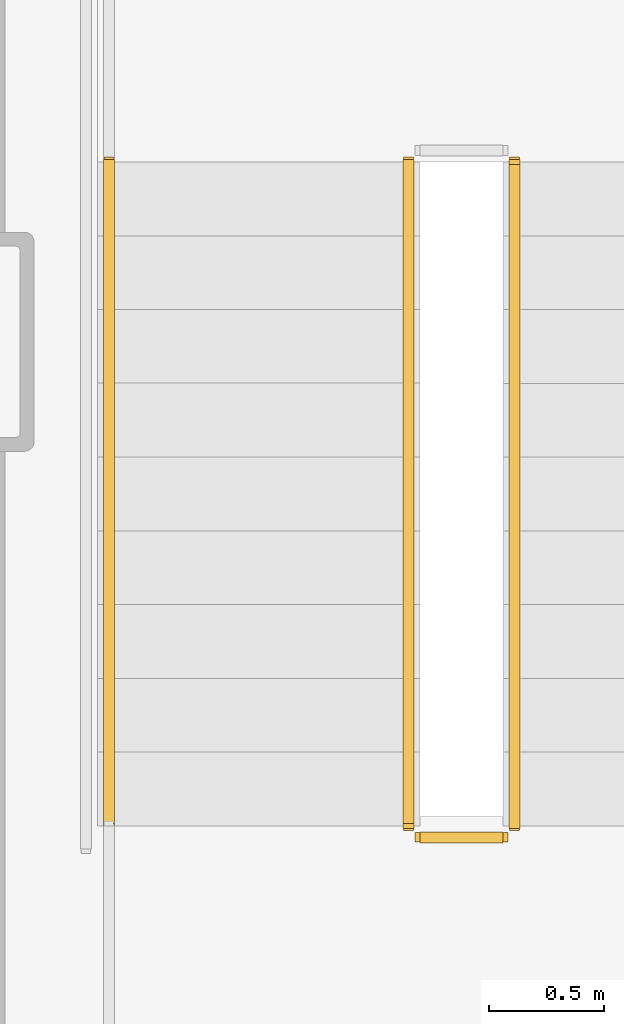
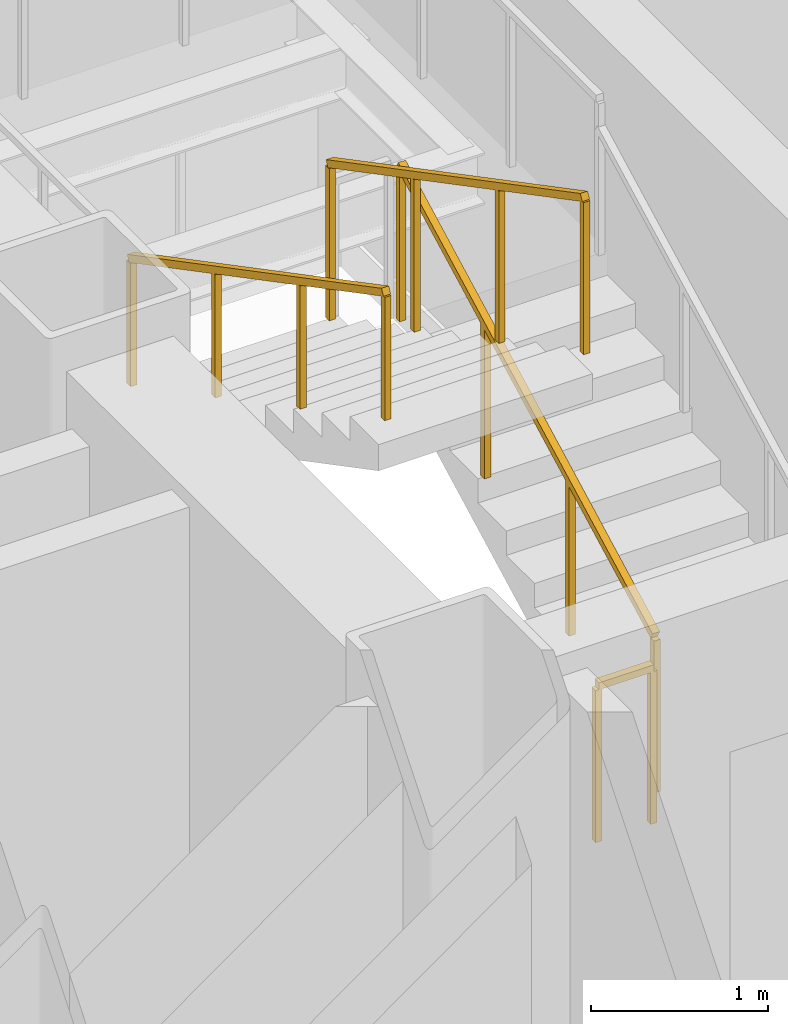
# One storey, part 10 of 13: 4 railings.
"""IFC4 building model written with IfcOpenShell, lengths in metres."""

from ifc_helpers import new_model, si_unit, direction, frame, origin, origin_2d, place, context, subcontext, project, spatial, rectangle, extrude, material, layer, layer_set, type_object, element, save


model = new_model("IFC4")

# Units and contexts
model_context = context("Model", 3, precision=1e-05, world=origin(), true_north=direction((0.0, 1.0)))
body_context = subcontext(model_context, "Body", "Model", "MODEL_VIEW")
ifc_project = project(units=[si_unit("LENGTHUNIT", "METRE"), si_unit("AREAUNIT", "SQUARE_METRE"), si_unit("VOLUMEUNIT", "CUBIC_METRE"), si_unit("PLANEANGLEUNIT", "RADIAN"), si_unit("MASSUNIT", "GRAM", prefix="KILO")], contexts=[model_context])

# Site, building, storey
site_placement = place(None, origin())
site = spatial("IfcSite", under=ifc_project, at=site_placement, CompositionType="ELEMENT")
building_placement = place(site_placement, origin())
building = spatial("IfcBuilding", under=site, at=building_placement, Name="Rocaltana Carrier Exchange", CompositionType="ELEMENT")
storey_placement = place(building_placement, frame((0.0, 0.0, 52.9599609375)))
storey = spatial("IfcBuildingStorey", under=building, at=storey_placement, Name="L16", CompositionType="ELEMENT", Elevation=52.9599609375)

# Railings
ifc_material_1 = material(Name="Brushed Architectural Stainless Tube", Category="steel")
ifc_layer_1 = layer(ifc_material_1, 0.048095703125)
ifc_layer_set_1 = layer_set([ifc_layer_1], Name="Brushed Architectural Stainless Tube")
railing_type_1 = type_object("IfcRailingType", Name="Stair Wall Handrail 920", PredefinedType="HANDRAIL", material=ifc_layer_set_1)
railing_1_placement = place(storey_placement, frame((-5.25, 0.780029296875, 1.84814453125)))
element("IfcRailing", 1, at=railing_1_placement, inside=storey, type_object=railing_type_1, Name="L16 ST-1 stair handrail 2", PredefinedType="HANDRAIL", context=body_context, shape_type="SweptSolid", body=[
    extrude(rectangle(XDim=0.048095703125, YDim=0.048095703125, at=origin_2d()), frame((0.0, 0.0, 0.8759765625), z_axis=(0.0, -0.885411030485, 0.464808893091), x_axis=(1.0, 0.0, 0.0)), (0.0, 0.0, 1.0), 3.2529296875),
    extrude(rectangle(XDim=0.0419921875, YDim=0.0419921875, at=origin_2d()), origin(), (0.0, 0.0, 1.0), 0.851806640625),
    extrude(rectangle(XDim=0.0419921875, YDim=0.0419921875, at=origin_2d()), frame((0.0, -0.9599609375, 0.50390625)), (0.0, 0.0, 1.0), 0.851806640625),
    extrude(rectangle(XDim=0.0419921875, YDim=0.0419921875, at=origin_2d()), frame((0.0, -1.920166015625, 1.008056640625)), (0.0, 0.0, 1.0), 0.851806640625),
    extrude(rectangle(XDim=0.0419921875, YDim=0.0419921875, at=origin_2d()), frame((0.0, -2.880126953125, 1.511962890625)), (0.0, 0.0, 1.0), 0.851806640625),
])
ifc_material_2 = material(Name="Powder-Coated Aluminium 6063-T6", Category="aluminium")
ifc_layer_2 = layer(ifc_material_2, 0.048095703125)
ifc_layer_set_2 = layer_set([ifc_layer_2], Name="Powder-Coated Aluminium 6063-T6")
railing_type_2 = type_object("IfcRailingType", Name="Stair Well Guardrail 1100", PredefinedType="GUARDRAIL", material=ifc_layer_set_2)
railing_2_placement = place(storey_placement, frame((-3.489990234375, -2.10009765625, 0.16796875)))
element("IfcRailing", 2, at=railing_2_placement, inside=storey, type_object=railing_type_2, Name="L16 ST-1 stair guard 1", PredefinedType="GUARDRAIL", context=body_context, shape_type="SweptSolid", body=[
    extrude(rectangle(XDim=0.048095703125, YDim=0.048095703125, at=origin_2d()), frame((0.0, 0.0, 1.076171875), z_axis=(0.0, 0.885411030485, 0.464808893091), x_axis=(-1.0, 0.0, 0.0)), (0.0, 0.0, 1.0), 3.2529296875),
    extrude(rectangle(XDim=0.0419921875, YDim=0.0419921875, at=origin_2d()), origin(), (0.0, 0.0, 1.0), 1.052001953125),
    extrude(rectangle(XDim=0.0419921875, YDim=0.0419921875, at=origin_2d()), frame((0.0, 0.9599609375, 0.50390625)), (0.0, 0.0, 1.0), 1.052001953125),
    extrude(rectangle(XDim=0.0419921875, YDim=0.0419921875, at=origin_2d()), frame((0.0, 1.920166015625, 1.008056640625)), (0.0, 0.0, 1.0), 1.052001953125),
    extrude(rectangle(XDim=0.0419921875, YDim=0.0419921875, at=origin_2d()), frame((0.0, 2.880126953125, 1.511962890625)), (0.0, 0.0, 1.0), 1.052001953125),
])
railing_3_placement = place(storey_placement, frame((-3.949951171875, 0.780029296875, 1.84814453125)))
element("IfcRailing", 3, at=railing_3_placement, inside=storey, type_object=railing_type_2, Name="L16 ST-1 stair guard 6", PredefinedType="GUARDRAIL", context=body_context, shape_type="SweptSolid", body=[
    extrude(rectangle(XDim=0.048095703125, YDim=0.048095703125, at=origin_2d()), frame((0.0, 0.0, 1.076171875), z_axis=(0.0, -0.885411030485, 0.464808893091), x_axis=(1.0, 0.0, 0.0)), (0.0, 0.0, 1.0), 3.2529296875),
    extrude(rectangle(XDim=0.0419921875, YDim=0.0419921875, at=origin_2d()), origin(), (0.0, 0.0, 1.0), 1.052001953125),
    extrude(rectangle(XDim=0.0419921875, YDim=0.0419921875, at=origin_2d()), frame((0.0, -0.9599609375, 0.50390625)), (0.0, 0.0, 1.0), 1.052001953125),
    extrude(rectangle(XDim=0.0419921875, YDim=0.0419921875, at=origin_2d()), frame((0.0, -1.920166015625, 1.008056640625)), (0.0, 0.0, 1.0), 1.052001953125),
    extrude(rectangle(XDim=0.0419921875, YDim=0.0419921875, at=origin_2d()), frame((0.0, -2.880126953125, 1.511962890625)), (0.0, 0.0, 1.0), 1.052001953125),
])
railing_4_placement = place(storey_placement, frame((-3.5400390625, -2.14990234375, 0.0)))
element("IfcRailing", 4, at=railing_4_placement, inside=storey, type_object=railing_type_2, Name="L16 ST-1 stair guard 7", PredefinedType="GUARDRAIL", context=body_context, shape_type="SweptSolid", body=[
    extrude(rectangle(XDim=0.048095703125, YDim=0.048095703125, at=origin_2d()), frame((0.0, 0.0, 1.076171875), z_axis=(-1.0, 0.0, 0.0), x_axis=(0.0, -1.0, 0.0)), (0.0, 0.0, 1.0), 0.35986328125),
    extrude(rectangle(XDim=0.0419921875, YDim=0.0419921875, at=origin_2d()), origin(), (0.0, 0.0, 1.0), 1.052001953125),
    extrude(rectangle(XDim=0.0419921875, YDim=0.0419921875, at=origin_2d()), frame((-0.35986328125, 0.0, 0.0)), (0.0, 0.0, 1.0), 1.052001953125),
])

save(model, "model.ifc")
